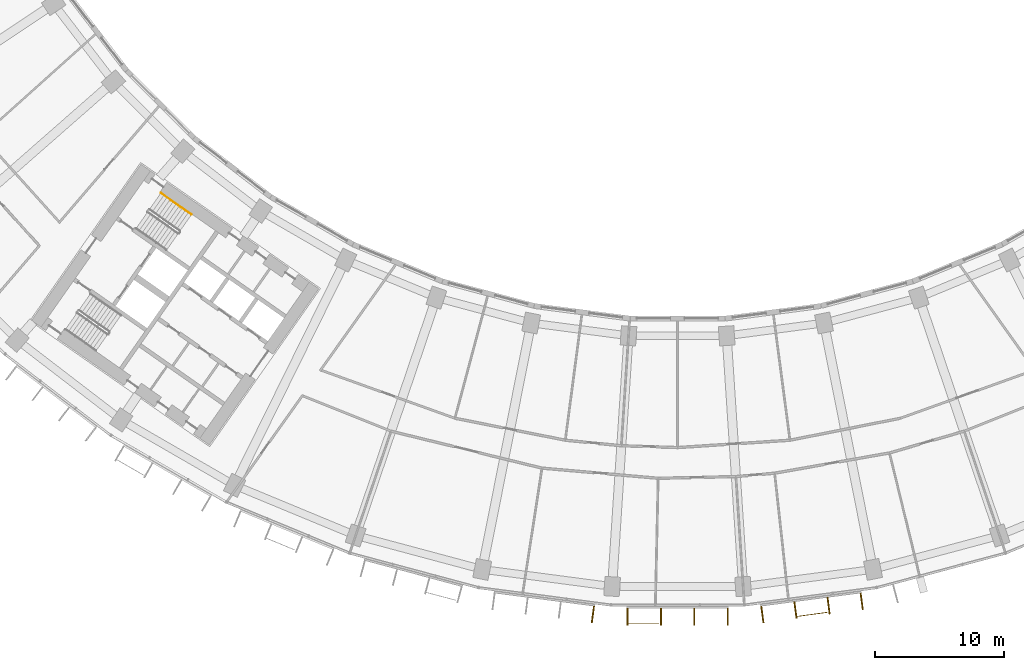
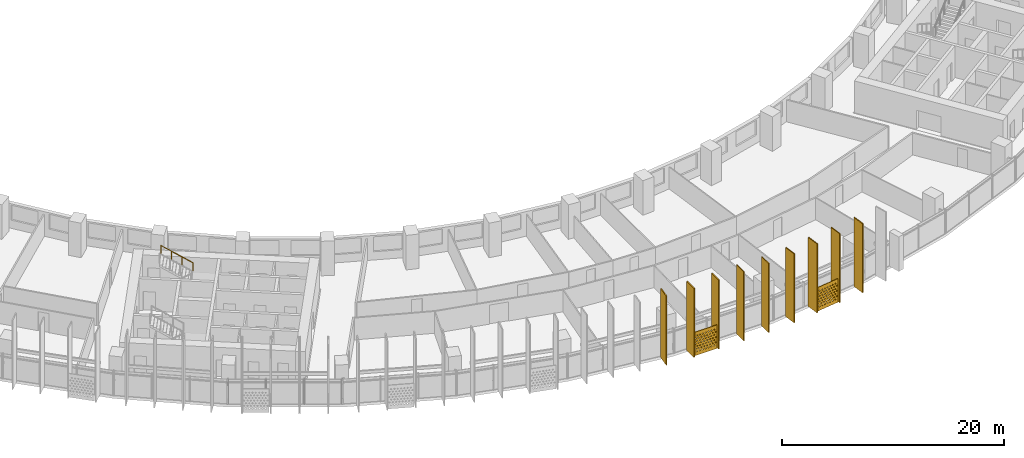
# One storey, part 28 of 30: 11 shading devices, 1 railing.
"""IFC4 building model written with IfcOpenShell, lengths in metres."""

from ifc_helpers import new_model, si_unit, direction, frame, origin, origin_2d, place, context, subcontext, project, spatial, polyline, rectangle, circle, outline, extrude, material, material_profile, profile_set, type_object, element, save


model = new_model("IFC4")

# Units and contexts
model_context = context("Model", 3, precision=1e-05, world=origin(), true_north=direction((0.0, 1.0)))
body_context = subcontext(model_context, "Body", "Model", "MODEL_VIEW")
ifc_project = project(units=[si_unit("LENGTHUNIT", "METRE"), si_unit("AREAUNIT", "SQUARE_METRE"), si_unit("VOLUMEUNIT", "CUBIC_METRE"), si_unit("PLANEANGLEUNIT", "RADIAN"), si_unit("MASSUNIT", "GRAM", prefix="KILO")], contexts=[model_context])

# Site, building, storey
site_placement = place(None, origin())
site = spatial("IfcSite", under=ifc_project, at=site_placement, CompositionType="ELEMENT")
building_placement = place(site_placement, origin())
building = spatial("IfcBuilding", under=site, at=building_placement, Name="Qamariyya Broadcast Tower", CompositionType="ELEMENT")
storey_placement = place(building_placement, frame((0.0, 0.0, 125.300048828125)))
storey = spatial("IfcBuildingStorey", under=building, at=storey_placement, Name="L28", CompositionType="ELEMENT", Elevation=125.300048828125)

# Shading devices
ifc_material_1 = material(Name="Perforated glazed terracotta", Category="masonry")
ifc_material_profile_1 = material_profile(ifc_material_1, outline(polyline([(-1.199951171875, -1.300048828125), (1.199951171875, -1.300048828125), (1.199951171875, 1.300048828125), (-1.199951171875, 1.300048828125), (-1.199951171875, -1.300048828125)]), holes=[polyline([(-0.81494140625, -0.86669921875), (-0.89990234375, -0.78173828125), (-0.985107421875, -0.86669921875), (-0.89990234375, -0.95166015625), (-0.81494140625, -0.86669921875)]), polyline([(-0.514892578125, -0.86669921875), (-0.60009765625, -0.78173828125), (-0.68505859375, -0.86669921875), (-0.60009765625, -0.95166015625), (-0.514892578125, -0.86669921875)]), polyline([(-0.215087890625, -0.86669921875), (-0.300048828125, -0.78173828125), (-0.385009765625, -0.86669921875), (-0.300048828125, -0.95166015625), (-0.215087890625, -0.86669921875)]), polyline([(0.0849609375, -0.86669921875), (0.0, -0.78173828125), (-0.0849609375, -0.86669921875), (0.0, -0.95166015625), (0.0849609375, -0.86669921875)]), polyline([(0.385009765625, -0.86669921875), (0.300048828125, -0.78173828125), (0.215087890625, -0.86669921875), (0.300048828125, -0.95166015625), (0.385009765625, -0.86669921875)]), polyline([(0.68505859375, -0.86669921875), (0.60009765625, -0.78173828125), (0.514892578125, -0.86669921875), (0.60009765625, -0.95166015625), (0.68505859375, -0.86669921875)]), polyline([(0.985107421875, -0.86669921875), (0.89990234375, -0.78173828125), (0.81494140625, -0.86669921875), (0.89990234375, -0.95166015625), (0.985107421875, -0.86669921875)]), polyline([(-0.965087890625, -0.577880859375), (-1.050048828125, -0.49267578125), (-1.135009765625, -0.577880859375), (-1.050048828125, -0.662841796875), (-0.965087890625, -0.577880859375)]), polyline([(-0.6650390625, -0.577880859375), (-0.75, -0.49267578125), (-0.8349609375, -0.577880859375), (-0.75, -0.662841796875), (-0.6650390625, -0.577880859375)]), polyline([(-0.364990234375, -0.577880859375), (-0.449951171875, -0.49267578125), (-0.534912109375, -0.577880859375), (-0.449951171875, -0.662841796875), (-0.364990234375, -0.577880859375)]), polyline([(-0.06494140625, -0.577880859375), (-0.14990234375, -0.49267578125), (-0.235107421875, -0.577880859375), (-0.14990234375, -0.662841796875), (-0.06494140625, -0.577880859375)]), polyline([(0.235107421875, -0.577880859375), (0.14990234375, -0.49267578125), (0.06494140625, -0.577880859375), (0.14990234375, -0.662841796875), (0.235107421875, -0.577880859375)]), polyline([(0.534912109375, -0.577880859375), (0.449951171875, -0.49267578125), (0.364990234375, -0.577880859375), (0.449951171875, -0.662841796875), (0.534912109375, -0.577880859375)]), polyline([(0.8349609375, -0.577880859375), (0.75, -0.49267578125), (0.6650390625, -0.577880859375), (0.75, -0.662841796875), (0.8349609375, -0.577880859375)]), polyline([(1.135009765625, -0.577880859375), (1.050048828125, -0.49267578125), (0.965087890625, -0.577880859375), (1.050048828125, -0.662841796875), (1.135009765625, -0.577880859375)]), polyline([(-0.81494140625, -0.288818359375), (-0.89990234375, -0.203857421875), (-0.985107421875, -0.288818359375), (-0.89990234375, -0.373779296875), (-0.81494140625, -0.288818359375)]), polyline([(-0.514892578125, -0.288818359375), (-0.60009765625, -0.203857421875), (-0.68505859375, -0.288818359375), (-0.60009765625, -0.373779296875), (-0.514892578125, -0.288818359375)]), polyline([(-0.215087890625, -0.288818359375), (-0.300048828125, -0.203857421875), (-0.385009765625, -0.288818359375), (-0.300048828125, -0.373779296875), (-0.215087890625, -0.288818359375)]), polyline([(0.0849609375, -0.288818359375), (0.0, -0.203857421875), (-0.0849609375, -0.288818359375), (0.0, -0.373779296875), (0.0849609375, -0.288818359375)]), polyline([(0.385009765625, -0.288818359375), (0.300048828125, -0.203857421875), (0.215087890625, -0.288818359375), (0.300048828125, -0.373779296875), (0.385009765625, -0.288818359375)]), polyline([(0.68505859375, -0.288818359375), (0.60009765625, -0.203857421875), (0.514892578125, -0.288818359375), (0.60009765625, -0.373779296875), (0.68505859375, -0.288818359375)]), polyline([(0.985107421875, -0.288818359375), (0.89990234375, -0.203857421875), (0.81494140625, -0.288818359375), (0.89990234375, -0.373779296875), (0.985107421875, -0.288818359375)]), polyline([(-0.965087890625, 0.0), (-1.050048828125, 0.0849609375), (-1.135009765625, 0.0), (-1.050048828125, -0.0849609375), (-0.965087890625, 0.0)]), polyline([(-0.6650390625, 0.0), (-0.75, 0.0849609375), (-0.8349609375, 0.0), (-0.75, -0.0849609375), (-0.6650390625, 0.0)]), polyline([(-0.364990234375, 0.0), (-0.449951171875, 0.0849609375), (-0.534912109375, 0.0), (-0.449951171875, -0.0849609375), (-0.364990234375, 0.0)]), polyline([(-0.06494140625, 0.0), (-0.14990234375, 0.0849609375), (-0.235107421875, 0.0), (-0.14990234375, -0.0849609375), (-0.06494140625, 0.0)]), polyline([(0.235107421875, 0.0), (0.14990234375, 0.0849609375), (0.06494140625, 0.0), (0.14990234375, -0.0849609375), (0.235107421875, 0.0)]), polyline([(0.534912109375, 0.0), (0.449951171875, 0.0849609375), (0.364990234375, 0.0), (0.449951171875, -0.0849609375), (0.534912109375, 0.0)]), polyline([(0.8349609375, 0.0), (0.75, 0.0849609375), (0.6650390625, 0.0), (0.75, -0.0849609375), (0.8349609375, 0.0)]), polyline([(1.135009765625, 0.0), (1.050048828125, 0.0849609375), (0.965087890625, 0.0), (1.050048828125, -0.0849609375), (1.135009765625, 0.0)]), polyline([(-0.81494140625, 0.288818359375), (-0.89990234375, 0.373779296875), (-0.985107421875, 0.288818359375), (-0.89990234375, 0.203857421875), (-0.81494140625, 0.288818359375)]), polyline([(-0.514892578125, 0.288818359375), (-0.60009765625, 0.373779296875), (-0.68505859375, 0.288818359375), (-0.60009765625, 0.203857421875), (-0.514892578125, 0.288818359375)]), polyline([(-0.215087890625, 0.288818359375), (-0.300048828125, 0.373779296875), (-0.385009765625, 0.288818359375), (-0.300048828125, 0.203857421875), (-0.215087890625, 0.288818359375)]), polyline([(0.0849609375, 0.288818359375), (0.0, 0.373779296875), (-0.0849609375, 0.288818359375), (0.0, 0.203857421875), (0.0849609375, 0.288818359375)]), polyline([(0.385009765625, 0.288818359375), (0.300048828125, 0.373779296875), (0.215087890625, 0.288818359375), (0.300048828125, 0.203857421875), (0.385009765625, 0.288818359375)]), polyline([(0.68505859375, 0.288818359375), (0.60009765625, 0.373779296875), (0.514892578125, 0.288818359375), (0.60009765625, 0.203857421875), (0.68505859375, 0.288818359375)]), polyline([(0.985107421875, 0.288818359375), (0.89990234375, 0.373779296875), (0.81494140625, 0.288818359375), (0.89990234375, 0.203857421875), (0.985107421875, 0.288818359375)]), polyline([(-0.965087890625, 0.577880859375), (-1.050048828125, 0.662841796875), (-1.135009765625, 0.577880859375), (-1.050048828125, 0.49267578125), (-0.965087890625, 0.577880859375)]), polyline([(-0.6650390625, 0.577880859375), (-0.75, 0.662841796875), (-0.8349609375, 0.577880859375), (-0.75, 0.49267578125), (-0.6650390625, 0.577880859375)]), polyline([(-0.364990234375, 0.577880859375), (-0.449951171875, 0.662841796875), (-0.534912109375, 0.577880859375), (-0.449951171875, 0.49267578125), (-0.364990234375, 0.577880859375)]), polyline([(-0.06494140625, 0.577880859375), (-0.14990234375, 0.662841796875), (-0.235107421875, 0.577880859375), (-0.14990234375, 0.49267578125), (-0.06494140625, 0.577880859375)]), polyline([(0.235107421875, 0.577880859375), (0.14990234375, 0.662841796875), (0.06494140625, 0.577880859375), (0.14990234375, 0.49267578125), (0.235107421875, 0.577880859375)]), polyline([(0.534912109375, 0.577880859375), (0.449951171875, 0.662841796875), (0.364990234375, 0.577880859375), (0.449951171875, 0.49267578125), (0.534912109375, 0.577880859375)]), polyline([(0.8349609375, 0.577880859375), (0.75, 0.662841796875), (0.6650390625, 0.577880859375), (0.75, 0.49267578125), (0.8349609375, 0.577880859375)]), polyline([(1.135009765625, 0.577880859375), (1.050048828125, 0.662841796875), (0.965087890625, 0.577880859375), (1.050048828125, 0.49267578125), (1.135009765625, 0.577880859375)]), polyline([(-0.81494140625, 0.86669921875), (-0.89990234375, 0.95166015625), (-0.985107421875, 0.86669921875), (-0.89990234375, 0.78173828125), (-0.81494140625, 0.86669921875)]), polyline([(-0.514892578125, 0.86669921875), (-0.60009765625, 0.95166015625), (-0.68505859375, 0.86669921875), (-0.60009765625, 0.78173828125), (-0.514892578125, 0.86669921875)]), polyline([(-0.215087890625, 0.86669921875), (-0.300048828125, 0.95166015625), (-0.385009765625, 0.86669921875), (-0.300048828125, 0.78173828125), (-0.215087890625, 0.86669921875)]), polyline([(0.0849609375, 0.86669921875), (0.0, 0.95166015625), (-0.0849609375, 0.86669921875), (0.0, 0.78173828125), (0.0849609375, 0.86669921875)]), polyline([(0.385009765625, 0.86669921875), (0.300048828125, 0.95166015625), (0.215087890625, 0.86669921875), (0.300048828125, 0.78173828125), (0.385009765625, 0.86669921875)]), polyline([(0.68505859375, 0.86669921875), (0.60009765625, 0.95166015625), (0.514892578125, 0.86669921875), (0.60009765625, 0.78173828125), (0.68505859375, 0.86669921875)]), polyline([(0.985107421875, 0.86669921875), (0.89990234375, 0.95166015625), (0.81494140625, 0.86669921875), (0.89990234375, 0.78173828125), (0.985107421875, 0.86669921875)])]))
ifc_profile_set_1 = profile_set([ifc_material_profile_1], Name="Perforated glazed terracotta")
shading_device_type_1 = type_object("IfcShadingDeviceType", Name="Perforated terracotta screen 2400 x 2600", PredefinedType="USERDEFINED", material=ifc_profile_set_1)
shading_device_1_placement = place(storey_placement, frame((-2.639892578125, -80.400146484375, 1.349853515625), z_axis=(0.0, -1.0, 0.0), x_axis=(1.0, 0.0, 0.0)))
element("IfcShadingDevice", 1, at=shading_device_1_placement, inside=storey, type_object=shading_device_type_1, Name="e-scr-L28-09-0", ObjectType="SCREEN", PredefinedType="USERDEFINED", context=body_context, shape_type="SweptSolid", body=[
    extrude(outline(polyline([(-1.199951171875, -1.300048828125), (1.199951171875, -1.300048828125), (1.199951171875, 1.300048828125), (-1.199951171875, 1.300048828125), (-1.199951171875, -1.300048828125)]), holes=[polyline([(-0.81494140625, -0.86669921875), (-0.89990234375, -0.78173828125), (-0.985107421875, -0.86669921875), (-0.89990234375, -0.95166015625), (-0.81494140625, -0.86669921875)]), polyline([(-0.514892578125, -0.86669921875), (-0.60009765625, -0.78173828125), (-0.68505859375, -0.86669921875), (-0.60009765625, -0.95166015625), (-0.514892578125, -0.86669921875)]), polyline([(-0.215087890625, -0.86669921875), (-0.300048828125, -0.78173828125), (-0.385009765625, -0.86669921875), (-0.300048828125, -0.95166015625), (-0.215087890625, -0.86669921875)]), polyline([(0.0849609375, -0.86669921875), (0.0, -0.78173828125), (-0.0849609375, -0.86669921875), (0.0, -0.95166015625), (0.0849609375, -0.86669921875)]), polyline([(0.385009765625, -0.86669921875), (0.300048828125, -0.78173828125), (0.215087890625, -0.86669921875), (0.300048828125, -0.95166015625), (0.385009765625, -0.86669921875)]), polyline([(0.68505859375, -0.86669921875), (0.60009765625, -0.78173828125), (0.514892578125, -0.86669921875), (0.60009765625, -0.95166015625), (0.68505859375, -0.86669921875)]), polyline([(0.985107421875, -0.86669921875), (0.89990234375, -0.78173828125), (0.81494140625, -0.86669921875), (0.89990234375, -0.95166015625), (0.985107421875, -0.86669921875)]), polyline([(-0.965087890625, -0.577880859375), (-1.050048828125, -0.49267578125), (-1.135009765625, -0.577880859375), (-1.050048828125, -0.662841796875), (-0.965087890625, -0.577880859375)]), polyline([(-0.6650390625, -0.577880859375), (-0.75, -0.49267578125), (-0.8349609375, -0.577880859375), (-0.75, -0.662841796875), (-0.6650390625, -0.577880859375)]), polyline([(-0.364990234375, -0.577880859375), (-0.449951171875, -0.49267578125), (-0.534912109375, -0.577880859375), (-0.449951171875, -0.662841796875), (-0.364990234375, -0.577880859375)]), polyline([(-0.06494140625, -0.577880859375), (-0.14990234375, -0.49267578125), (-0.235107421875, -0.577880859375), (-0.14990234375, -0.662841796875), (-0.06494140625, -0.577880859375)]), polyline([(0.235107421875, -0.577880859375), (0.14990234375, -0.49267578125), (0.06494140625, -0.577880859375), (0.14990234375, -0.662841796875), (0.235107421875, -0.577880859375)]), polyline([(0.534912109375, -0.577880859375), (0.449951171875, -0.49267578125), (0.364990234375, -0.577880859375), (0.449951171875, -0.662841796875), (0.534912109375, -0.577880859375)]), polyline([(0.8349609375, -0.577880859375), (0.75, -0.49267578125), (0.6650390625, -0.577880859375), (0.75, -0.662841796875), (0.8349609375, -0.577880859375)]), polyline([(1.135009765625, -0.577880859375), (1.050048828125, -0.49267578125), (0.965087890625, -0.577880859375), (1.050048828125, -0.662841796875), (1.135009765625, -0.577880859375)]), polyline([(-0.81494140625, -0.288818359375), (-0.89990234375, -0.203857421875), (-0.985107421875, -0.288818359375), (-0.89990234375, -0.373779296875), (-0.81494140625, -0.288818359375)]), polyline([(-0.514892578125, -0.288818359375), (-0.60009765625, -0.203857421875), (-0.68505859375, -0.288818359375), (-0.60009765625, -0.373779296875), (-0.514892578125, -0.288818359375)]), polyline([(-0.215087890625, -0.288818359375), (-0.300048828125, -0.203857421875), (-0.385009765625, -0.288818359375), (-0.300048828125, -0.373779296875), (-0.215087890625, -0.288818359375)]), polyline([(0.0849609375, -0.288818359375), (0.0, -0.203857421875), (-0.0849609375, -0.288818359375), (0.0, -0.373779296875), (0.0849609375, -0.288818359375)]), polyline([(0.385009765625, -0.288818359375), (0.300048828125, -0.203857421875), (0.215087890625, -0.288818359375), (0.300048828125, -0.373779296875), (0.385009765625, -0.288818359375)]), polyline([(0.68505859375, -0.288818359375), (0.60009765625, -0.203857421875), (0.514892578125, -0.288818359375), (0.60009765625, -0.373779296875), (0.68505859375, -0.288818359375)]), polyline([(0.985107421875, -0.288818359375), (0.89990234375, -0.203857421875), (0.81494140625, -0.288818359375), (0.89990234375, -0.373779296875), (0.985107421875, -0.288818359375)]), polyline([(-0.965087890625, 0.0), (-1.050048828125, 0.0849609375), (-1.135009765625, 0.0), (-1.050048828125, -0.0849609375), (-0.965087890625, 0.0)]), polyline([(-0.6650390625, 0.0), (-0.75, 0.0849609375), (-0.8349609375, 0.0), (-0.75, -0.0849609375), (-0.6650390625, 0.0)]), polyline([(-0.364990234375, 0.0), (-0.449951171875, 0.0849609375), (-0.534912109375, 0.0), (-0.449951171875, -0.0849609375), (-0.364990234375, 0.0)]), polyline([(-0.06494140625, 0.0), (-0.14990234375, 0.0849609375), (-0.235107421875, 0.0), (-0.14990234375, -0.0849609375), (-0.06494140625, 0.0)]), polyline([(0.235107421875, 0.0), (0.14990234375, 0.0849609375), (0.06494140625, 0.0), (0.14990234375, -0.0849609375), (0.235107421875, 0.0)]), polyline([(0.534912109375, 0.0), (0.449951171875, 0.0849609375), (0.364990234375, 0.0), (0.449951171875, -0.0849609375), (0.534912109375, 0.0)]), polyline([(0.8349609375, 0.0), (0.75, 0.0849609375), (0.6650390625, 0.0), (0.75, -0.0849609375), (0.8349609375, 0.0)]), polyline([(1.135009765625, 0.0), (1.050048828125, 0.0849609375), (0.965087890625, 0.0), (1.050048828125, -0.0849609375), (1.135009765625, 0.0)]), polyline([(-0.81494140625, 0.288818359375), (-0.89990234375, 0.373779296875), (-0.985107421875, 0.288818359375), (-0.89990234375, 0.203857421875), (-0.81494140625, 0.288818359375)]), polyline([(-0.514892578125, 0.288818359375), (-0.60009765625, 0.373779296875), (-0.68505859375, 0.288818359375), (-0.60009765625, 0.203857421875), (-0.514892578125, 0.288818359375)]), polyline([(-0.215087890625, 0.288818359375), (-0.300048828125, 0.373779296875), (-0.385009765625, 0.288818359375), (-0.300048828125, 0.203857421875), (-0.215087890625, 0.288818359375)]), polyline([(0.0849609375, 0.288818359375), (0.0, 0.373779296875), (-0.0849609375, 0.288818359375), (0.0, 0.203857421875), (0.0849609375, 0.288818359375)]), polyline([(0.385009765625, 0.288818359375), (0.300048828125, 0.373779296875), (0.215087890625, 0.288818359375), (0.300048828125, 0.203857421875), (0.385009765625, 0.288818359375)]), polyline([(0.68505859375, 0.288818359375), (0.60009765625, 0.373779296875), (0.514892578125, 0.288818359375), (0.60009765625, 0.203857421875), (0.68505859375, 0.288818359375)]), polyline([(0.985107421875, 0.288818359375), (0.89990234375, 0.373779296875), (0.81494140625, 0.288818359375), (0.89990234375, 0.203857421875), (0.985107421875, 0.288818359375)]), polyline([(-0.965087890625, 0.577880859375), (-1.050048828125, 0.662841796875), (-1.135009765625, 0.577880859375), (-1.050048828125, 0.49267578125), (-0.965087890625, 0.577880859375)]), polyline([(-0.6650390625, 0.577880859375), (-0.75, 0.662841796875), (-0.8349609375, 0.577880859375), (-0.75, 0.49267578125), (-0.6650390625, 0.577880859375)]), polyline([(-0.364990234375, 0.577880859375), (-0.449951171875, 0.662841796875), (-0.534912109375, 0.577880859375), (-0.449951171875, 0.49267578125), (-0.364990234375, 0.577880859375)]), polyline([(-0.06494140625, 0.577880859375), (-0.14990234375, 0.662841796875), (-0.235107421875, 0.577880859375), (-0.14990234375, 0.49267578125), (-0.06494140625, 0.577880859375)]), polyline([(0.235107421875, 0.577880859375), (0.14990234375, 0.662841796875), (0.06494140625, 0.577880859375), (0.14990234375, 0.49267578125), (0.235107421875, 0.577880859375)]), polyline([(0.534912109375, 0.577880859375), (0.449951171875, 0.662841796875), (0.364990234375, 0.577880859375), (0.449951171875, 0.49267578125), (0.534912109375, 0.577880859375)]), polyline([(0.8349609375, 0.577880859375), (0.75, 0.662841796875), (0.6650390625, 0.577880859375), (0.75, 0.49267578125), (0.8349609375, 0.577880859375)]), polyline([(1.135009765625, 0.577880859375), (1.050048828125, 0.662841796875), (0.965087890625, 0.577880859375), (1.050048828125, 0.49267578125), (1.135009765625, 0.577880859375)]), polyline([(-0.81494140625, 0.86669921875), (-0.89990234375, 0.95166015625), (-0.985107421875, 0.86669921875), (-0.89990234375, 0.78173828125), (-0.81494140625, 0.86669921875)]), polyline([(-0.514892578125, 0.86669921875), (-0.60009765625, 0.95166015625), (-0.68505859375, 0.86669921875), (-0.60009765625, 0.78173828125), (-0.514892578125, 0.86669921875)]), polyline([(-0.215087890625, 0.86669921875), (-0.300048828125, 0.95166015625), (-0.385009765625, 0.86669921875), (-0.300048828125, 0.78173828125), (-0.215087890625, 0.86669921875)]), polyline([(0.0849609375, 0.86669921875), (0.0, 0.95166015625), (-0.0849609375, 0.86669921875), (0.0, 0.78173828125), (0.0849609375, 0.86669921875)]), polyline([(0.385009765625, 0.86669921875), (0.300048828125, 0.95166015625), (0.215087890625, 0.86669921875), (0.300048828125, 0.78173828125), (0.385009765625, 0.86669921875)]), polyline([(0.68505859375, 0.86669921875), (0.60009765625, 0.95166015625), (0.514892578125, 0.86669921875), (0.60009765625, 0.78173828125), (0.68505859375, 0.86669921875)]), polyline([(0.985107421875, 0.86669921875), (0.89990234375, 0.95166015625), (0.81494140625, 0.86669921875), (0.89990234375, 0.78173828125), (0.985107421875, 0.86669921875)])]), origin(), (0.0, 0.0, 1.0), 0.06005859375),
])
shading_device_2_placement = place(storey_placement, frame((10.447998046875, -79.718505859375, 1.349853515625), z_axis=(0.13456727237, -0.990904460181, 0.0), x_axis=(0.990904460181, 0.13456727237, 0.0)))
element("IfcShadingDevice", 2, at=shading_device_2_placement, inside=storey, type_object=shading_device_type_1, Name="e-scr-L28-10-1", ObjectType="SCREEN", PredefinedType="USERDEFINED", context=body_context, shape_type="SweptSolid", body=[
    extrude(outline(polyline([(-1.199951171875, -1.300048828125), (1.199951171875, -1.300048828125), (1.199951171875, 1.300048828125), (-1.199951171875, 1.300048828125), (-1.199951171875, -1.300048828125)]), holes=[polyline([(-0.81494140625, -0.86669921875), (-0.89990234375, -0.78173828125), (-0.985107421875, -0.86669921875), (-0.89990234375, -0.95166015625), (-0.81494140625, -0.86669921875)]), polyline([(-0.514892578125, -0.86669921875), (-0.60009765625, -0.78173828125), (-0.68505859375, -0.86669921875), (-0.60009765625, -0.95166015625), (-0.514892578125, -0.86669921875)]), polyline([(-0.215087890625, -0.86669921875), (-0.300048828125, -0.78173828125), (-0.385009765625, -0.86669921875), (-0.300048828125, -0.95166015625), (-0.215087890625, -0.86669921875)]), polyline([(0.0849609375, -0.86669921875), (0.0, -0.78173828125), (-0.0849609375, -0.86669921875), (0.0, -0.95166015625), (0.0849609375, -0.86669921875)]), polyline([(0.385009765625, -0.86669921875), (0.300048828125, -0.78173828125), (0.215087890625, -0.86669921875), (0.300048828125, -0.95166015625), (0.385009765625, -0.86669921875)]), polyline([(0.68505859375, -0.86669921875), (0.60009765625, -0.78173828125), (0.514892578125, -0.86669921875), (0.60009765625, -0.95166015625), (0.68505859375, -0.86669921875)]), polyline([(0.985107421875, -0.86669921875), (0.89990234375, -0.78173828125), (0.81494140625, -0.86669921875), (0.89990234375, -0.95166015625), (0.985107421875, -0.86669921875)]), polyline([(-0.965087890625, -0.577880859375), (-1.050048828125, -0.49267578125), (-1.135009765625, -0.577880859375), (-1.050048828125, -0.662841796875), (-0.965087890625, -0.577880859375)]), polyline([(-0.6650390625, -0.577880859375), (-0.75, -0.49267578125), (-0.8349609375, -0.577880859375), (-0.75, -0.662841796875), (-0.6650390625, -0.577880859375)]), polyline([(-0.364990234375, -0.577880859375), (-0.449951171875, -0.49267578125), (-0.534912109375, -0.577880859375), (-0.449951171875, -0.662841796875), (-0.364990234375, -0.577880859375)]), polyline([(-0.06494140625, -0.577880859375), (-0.14990234375, -0.49267578125), (-0.235107421875, -0.577880859375), (-0.14990234375, -0.662841796875), (-0.06494140625, -0.577880859375)]), polyline([(0.235107421875, -0.577880859375), (0.14990234375, -0.49267578125), (0.06494140625, -0.577880859375), (0.14990234375, -0.662841796875), (0.235107421875, -0.577880859375)]), polyline([(0.534912109375, -0.577880859375), (0.449951171875, -0.49267578125), (0.364990234375, -0.577880859375), (0.449951171875, -0.662841796875), (0.534912109375, -0.577880859375)]), polyline([(0.8349609375, -0.577880859375), (0.75, -0.49267578125), (0.6650390625, -0.577880859375), (0.75, -0.662841796875), (0.8349609375, -0.577880859375)]), polyline([(1.135009765625, -0.577880859375), (1.050048828125, -0.49267578125), (0.965087890625, -0.577880859375), (1.050048828125, -0.662841796875), (1.135009765625, -0.577880859375)]), polyline([(-0.81494140625, -0.288818359375), (-0.89990234375, -0.203857421875), (-0.985107421875, -0.288818359375), (-0.89990234375, -0.373779296875), (-0.81494140625, -0.288818359375)]), polyline([(-0.514892578125, -0.288818359375), (-0.60009765625, -0.203857421875), (-0.68505859375, -0.288818359375), (-0.60009765625, -0.373779296875), (-0.514892578125, -0.288818359375)]), polyline([(-0.215087890625, -0.288818359375), (-0.300048828125, -0.203857421875), (-0.385009765625, -0.288818359375), (-0.300048828125, -0.373779296875), (-0.215087890625, -0.288818359375)]), polyline([(0.0849609375, -0.288818359375), (0.0, -0.203857421875), (-0.0849609375, -0.288818359375), (0.0, -0.373779296875), (0.0849609375, -0.288818359375)]), polyline([(0.385009765625, -0.288818359375), (0.300048828125, -0.203857421875), (0.215087890625, -0.288818359375), (0.300048828125, -0.373779296875), (0.385009765625, -0.288818359375)]), polyline([(0.68505859375, -0.288818359375), (0.60009765625, -0.203857421875), (0.514892578125, -0.288818359375), (0.60009765625, -0.373779296875), (0.68505859375, -0.288818359375)]), polyline([(0.985107421875, -0.288818359375), (0.89990234375, -0.203857421875), (0.81494140625, -0.288818359375), (0.89990234375, -0.373779296875), (0.985107421875, -0.288818359375)]), polyline([(-0.965087890625, 0.0), (-1.050048828125, 0.0849609375), (-1.135009765625, 0.0), (-1.050048828125, -0.0849609375), (-0.965087890625, 0.0)]), polyline([(-0.6650390625, 0.0), (-0.75, 0.0849609375), (-0.8349609375, 0.0), (-0.75, -0.0849609375), (-0.6650390625, 0.0)]), polyline([(-0.364990234375, 0.0), (-0.449951171875, 0.0849609375), (-0.534912109375, 0.0), (-0.449951171875, -0.0849609375), (-0.364990234375, 0.0)]), polyline([(-0.06494140625, 0.0), (-0.14990234375, 0.0849609375), (-0.235107421875, 0.0), (-0.14990234375, -0.0849609375), (-0.06494140625, 0.0)]), polyline([(0.235107421875, 0.0), (0.14990234375, 0.0849609375), (0.06494140625, 0.0), (0.14990234375, -0.0849609375), (0.235107421875, 0.0)]), polyline([(0.534912109375, 0.0), (0.449951171875, 0.0849609375), (0.364990234375, 0.0), (0.449951171875, -0.0849609375), (0.534912109375, 0.0)]), polyline([(0.8349609375, 0.0), (0.75, 0.0849609375), (0.6650390625, 0.0), (0.75, -0.0849609375), (0.8349609375, 0.0)]), polyline([(1.135009765625, 0.0), (1.050048828125, 0.0849609375), (0.965087890625, 0.0), (1.050048828125, -0.0849609375), (1.135009765625, 0.0)]), polyline([(-0.81494140625, 0.288818359375), (-0.89990234375, 0.373779296875), (-0.985107421875, 0.288818359375), (-0.89990234375, 0.203857421875), (-0.81494140625, 0.288818359375)]), polyline([(-0.514892578125, 0.288818359375), (-0.60009765625, 0.373779296875), (-0.68505859375, 0.288818359375), (-0.60009765625, 0.203857421875), (-0.514892578125, 0.288818359375)]), polyline([(-0.215087890625, 0.288818359375), (-0.300048828125, 0.373779296875), (-0.385009765625, 0.288818359375), (-0.300048828125, 0.203857421875), (-0.215087890625, 0.288818359375)]), polyline([(0.0849609375, 0.288818359375), (0.0, 0.373779296875), (-0.0849609375, 0.288818359375), (0.0, 0.203857421875), (0.0849609375, 0.288818359375)]), polyline([(0.385009765625, 0.288818359375), (0.300048828125, 0.373779296875), (0.215087890625, 0.288818359375), (0.300048828125, 0.203857421875), (0.385009765625, 0.288818359375)]), polyline([(0.68505859375, 0.288818359375), (0.60009765625, 0.373779296875), (0.514892578125, 0.288818359375), (0.60009765625, 0.203857421875), (0.68505859375, 0.288818359375)]), polyline([(0.985107421875, 0.288818359375), (0.89990234375, 0.373779296875), (0.81494140625, 0.288818359375), (0.89990234375, 0.203857421875), (0.985107421875, 0.288818359375)]), polyline([(-0.965087890625, 0.577880859375), (-1.050048828125, 0.662841796875), (-1.135009765625, 0.577880859375), (-1.050048828125, 0.49267578125), (-0.965087890625, 0.577880859375)]), polyline([(-0.6650390625, 0.577880859375), (-0.75, 0.662841796875), (-0.8349609375, 0.577880859375), (-0.75, 0.49267578125), (-0.6650390625, 0.577880859375)]), polyline([(-0.364990234375, 0.577880859375), (-0.449951171875, 0.662841796875), (-0.534912109375, 0.577880859375), (-0.449951171875, 0.49267578125), (-0.364990234375, 0.577880859375)]), polyline([(-0.06494140625, 0.577880859375), (-0.14990234375, 0.662841796875), (-0.235107421875, 0.577880859375), (-0.14990234375, 0.49267578125), (-0.06494140625, 0.577880859375)]), polyline([(0.235107421875, 0.577880859375), (0.14990234375, 0.662841796875), (0.06494140625, 0.577880859375), (0.14990234375, 0.49267578125), (0.235107421875, 0.577880859375)]), polyline([(0.534912109375, 0.577880859375), (0.449951171875, 0.662841796875), (0.364990234375, 0.577880859375), (0.449951171875, 0.49267578125), (0.534912109375, 0.577880859375)]), polyline([(0.8349609375, 0.577880859375), (0.75, 0.662841796875), (0.6650390625, 0.577880859375), (0.75, 0.49267578125), (0.8349609375, 0.577880859375)]), polyline([(1.135009765625, 0.577880859375), (1.050048828125, 0.662841796875), (0.965087890625, 0.577880859375), (1.050048828125, 0.49267578125), (1.135009765625, 0.577880859375)]), polyline([(-0.81494140625, 0.86669921875), (-0.89990234375, 0.95166015625), (-0.985107421875, 0.86669921875), (-0.89990234375, 0.78173828125), (-0.81494140625, 0.86669921875)]), polyline([(-0.514892578125, 0.86669921875), (-0.60009765625, 0.95166015625), (-0.68505859375, 0.86669921875), (-0.60009765625, 0.78173828125), (-0.514892578125, 0.86669921875)]), polyline([(-0.215087890625, 0.86669921875), (-0.300048828125, 0.95166015625), (-0.385009765625, 0.86669921875), (-0.300048828125, 0.78173828125), (-0.215087890625, 0.86669921875)]), polyline([(0.0849609375, 0.86669921875), (0.0, 0.95166015625), (-0.0849609375, 0.86669921875), (0.0, 0.78173828125), (0.0849609375, 0.86669921875)]), polyline([(0.385009765625, 0.86669921875), (0.300048828125, 0.95166015625), (0.215087890625, 0.86669921875), (0.300048828125, 0.78173828125), (0.385009765625, 0.86669921875)]), polyline([(0.68505859375, 0.86669921875), (0.60009765625, 0.95166015625), (0.514892578125, 0.86669921875), (0.60009765625, 0.78173828125), (0.68505859375, 0.86669921875)]), polyline([(0.985107421875, 0.86669921875), (0.89990234375, 0.95166015625), (0.81494140625, 0.86669921875), (0.89990234375, 0.78173828125), (0.985107421875, 0.86669921875)])]), origin(), (0.0, 0.0, 1.0), 0.059814453125),
])

# Railing
ifc_material_2 = material(Name="Stainless steel", Category="steel")
railing_type = type_object("IfcRailingType", Name="Stair handrail", PredefinedType="HANDRAIL", material=ifc_material_2)
railing_placement = place(storey_placement, frame((-37.73876953125, -48.7138671875, 2.07275390625)))
element("IfcRailing", 3, at=railing_placement, inside=storey, type_object=railing_type, Name="L28 ST-W2 stair handrail 2", PredefinedType="HANDRAIL", context=body_context, shape_type="SweptSolid", body=[
    extrude(circle(Radius=0.02392578125, at=origin_2d()), frame((0.0, 0.0, 0.8759765625), z_axis=(-0.703745009021, 0.492838488332, 0.511715923826), x_axis=(-0.573631830683, -0.819113253969, 0.0)), (0.0, 0.0, 1.0), 3.37548828125),
    extrude(circle(Radius=0.02099609375, at=origin_2d()), origin(), (0.0, 0.0, 1.0), 0.851806640625),
    extrude(circle(Radius=0.02099609375, at=origin_2d()), frame((-0.791748046875, 0.554443359375, 0.57568359375)), (0.0, 0.0, 1.0), 0.851806640625),
    extrude(circle(Radius=0.02099609375, at=origin_2d()), frame((-1.583740234375, 1.109130859375, 1.151611328125)), (0.0, 0.0, 1.0), 0.851806640625),
    extrude(circle(Radius=0.02099609375, at=origin_2d()), frame((-2.37548828125, 1.66357421875, 1.727294921875)), (0.0, 0.0, 1.0), 0.851806640625),
])

# Shading devices
ifc_material_3 = material(Name="Glazed terracotta", Category="masonry")
ifc_material_profile_2 = material_profile(ifc_material_3, rectangle(XDim=1.300048828125, YDim=0.10009765625, at=origin_2d()))
ifc_profile_set_2 = profile_set([ifc_material_profile_2], Name="Glazed terracotta")
shading_device_type_2 = type_object("IfcShadingDeviceType", Name="Terracotta fin 100 x 1300", PredefinedType="USERDEFINED", material=ifc_profile_set_2)
for number, where, z_axis, x_axis, name in (
    (4, (-6.576416015625, -79.754150390625, 0.0), (0.0, 0.0, 1.0), (-0.13052619222, -0.991444861374, 0.0), "e-fin-L28-08-3"),
    (5, (-3.889892578125, -79.93017578125, 0.0), (0.0, 0.0, 1.0), (0.0, -1.0, 0.0), "e-fin-L28-09-0"),
    (6, (-1.296630859375, -79.93017578125, 0.0), (0.0, 0.0, 1.0), (0.0, -1.0, 0.0), "e-fin-L28-09-1"),
    (7, (1.296630859375, -79.93017578125, 0.0), (0.0, 0.0, 1.0), (0.0, -1.0, 0.0), "e-fin-L28-09-2"),
    (8, (3.889892578125, -79.93017578125, 0.0), (0.0, 0.0, 1.0), (0.0, -1.0, 0.0), "e-fin-L28-09-3"),
    (9, (6.576416015625, -79.754150390625, 0.0), (0.0, 0.0, 1.0), (0.13052619222, -0.991444861374, 0.0), "e-fin-L28-10-0"),
    (10, (9.1474609375, -79.41552734375, 0.0), (0.0, 0.0, 1.0), (0.13052619222, -0.991444861374, 0.0), "e-fin-L28-10-1"),
    (11, (11.718505859375, -79.0771484375, 0.0), (0.0, 0.0, 1.0), (0.13052619222, -0.991444861374, 0.0), "e-fin-L28-10-2"),
    (12, (14.28955078125, -78.73876953125, 0.0), (0.0, 0.0, 1.0), (0.13052619222, -0.991444861374, 0.0), "e-fin-L28-10-3"),
):
    element("IfcShadingDevice", number, at=place(storey_placement, frame(where, z_axis=z_axis, x_axis=x_axis)), inside=storey, type_object=shading_device_type_2, Name=name, ObjectType="FIN", PredefinedType="USERDEFINED", context=body_context, shape_type="SweptSolid", body=[
        extrude(rectangle(XDim=1.300048828125, YDim=0.10009765625, at=origin_2d()), origin(), (0.0, 0.0, 1.0), 7.599853515625),
    ])

save(model, "model.ifc")
